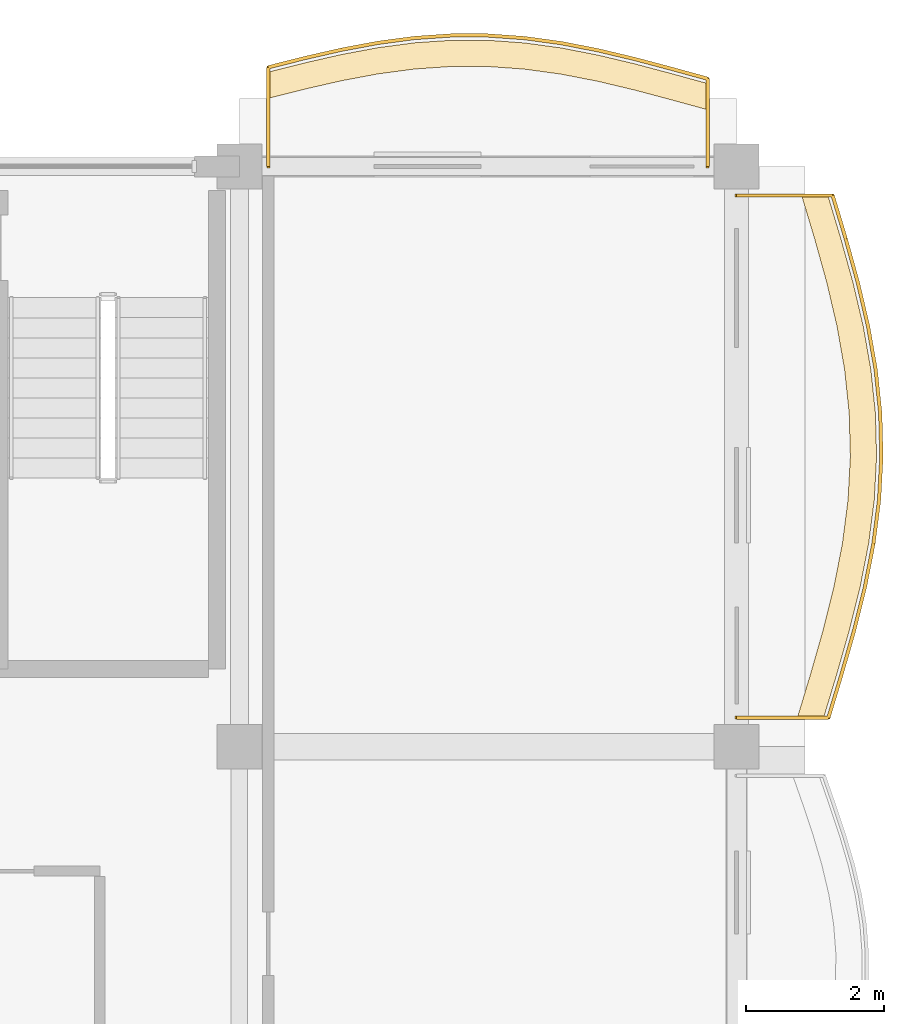
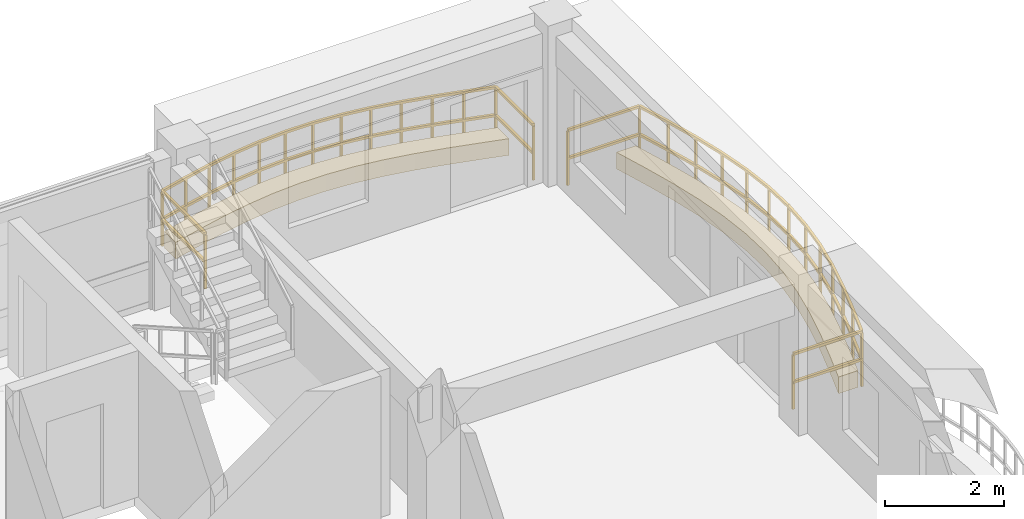
# One storey, part 66 of 66: 2 coverings, 2 railings.
"""IFC4 building model written with IfcOpenShell, lengths in metres."""

from ifc_helpers import new_model, si_unit, direction, frame, origin, origin_2d, place, context, subcontext, project, spatial, polyline, rectangle, outline, extrude, material, layer, layer_set, type_object, element, save


model = new_model("IFC4")

# Units and contexts
model_context = context("Model", 3, precision=1e-05, world=origin(), true_north=direction((0.0, 1.0)))
body_context = subcontext(model_context, "Body", "Model", "MODEL_VIEW")
ifc_project = project(units=[si_unit("LENGTHUNIT", "METRE"), si_unit("AREAUNIT", "SQUARE_METRE"), si_unit("VOLUMEUNIT", "CUBIC_METRE"), si_unit("PLANEANGLEUNIT", "RADIAN"), si_unit("MASSUNIT", "GRAM", prefix="KILO"), si_unit("THERMODYNAMICTEMPERATUREUNIT", "KELVIN")], contexts=[model_context])

# Site, building, storey
site_placement = place(None, origin())
site = spatial("IfcSite", under=ifc_project, at=site_placement, CompositionType="ELEMENT")
building_placement = place(site_placement, origin())
building = spatial("IfcBuilding", under=site, at=building_placement, Name="Thalorik Housing Commons", CompositionType="ELEMENT")
storey_placement = place(building_placement, frame((0.0, 0.0, 21.300048828125)))
storey = spatial("IfcBuildingStorey", under=building, at=storey_placement, Name="L06", CompositionType="ELEMENT", Elevation=21.300048828125)

# Coverings
ifc_material_1 = material(Name="Planted vegetated substrate and terracotta trough", Category="masonry")
ifc_layer = layer(ifc_material_1, 0.340087890625, Name="Planted vegetated substrate and terracotta trough", Category="masonry")
ifc_layer_set = layer_set([ifc_layer], Name="Planted vegetated substrate and terracotta trough")
covering_type = type_object("IfcCoveringType", Name="ARC-COV-PLANTER", PredefinedType="USERDEFINED", material=ifc_layer_set)
covering_1_placement = place(storey_placement, origin())
element("IfcCovering", 1, at=covering_1_placement, inside=storey, type_object=covering_type, Name="L06 Balcony Slab-Edge Planted Trough 5495", ObjectType="PLANTER", PredefinedType="USERDEFINED", context=body_context, shape_type="SweptSolid", body=[
    extrude(outline(polyline([(173.580078125, 124.80078125), (173.050048828125, 124.946533203125), (172.52001953125, 125.087158203125), (171.989990234375, 125.213134765625), (171.4599609375, 125.316162109375), (170.929931640625, 125.388916015625), (170.39990234375, 125.427001953125), (169.8701171875, 125.427490234375), (169.340087890625, 125.39111328125), (168.81005859375, 125.32080078125), (168.280029296875, 125.2216796875), (167.75, 125.1005859375), (167.219970703125, 124.96630859375), (167.219970703125, 124.58642578125), (167.75, 124.720458984375), (168.280029296875, 124.841552734375), (168.81005859375, 124.94091796875), (169.340087890625, 125.01123046875), (169.8701171875, 125.047607421875), (170.39990234375, 125.046875), (170.929931640625, 125.009033203125), (171.4599609375, 124.936279296875), (171.989990234375, 124.833251953125), (172.52001953125, 124.707275390625), (173.050048828125, 124.56640625), (173.580078125, 124.4208984375), (173.580078125, 124.80078125)])), origin(), (0.0, 0.0, 1.0), 0.33984375),
])
covering_2_placement = place(storey_placement, origin())
element("IfcCovering", 2, at=covering_2_placement, inside=storey, type_object=covering_type, Name="L06 Balcony Slab-Edge Planted Trough 5497", ObjectType="PLANTER", PredefinedType="USERDEFINED", context=body_context, shape_type="SweptSolid", body=[
    extrude(outline(polyline([(175.25927734375, 115.6201171875), (175.44970703125, 116.25), (175.629638671875, 116.8798828125), (175.787109375, 117.510009765625), (175.910888671875, 118.139892578125), (175.992431640625, 118.77001953125), (176.02587890625, 119.39990234375), (176.009033203125, 120.030029296875), (175.943115234375, 120.659912109375), (175.83251953125, 121.2900390625), (175.6845703125, 121.919921875), (175.510009765625, 122.550048828125), (175.32080078125, 123.179931640625), (174.940673828125, 123.179931640625), (175.1298828125, 122.550048828125), (175.3046875, 121.919921875), (175.452392578125, 121.2900390625), (175.56298828125, 120.659912109375), (175.629150390625, 120.030029296875), (175.64599609375, 119.39990234375), (175.6123046875, 118.77001953125), (175.531005859375, 118.139892578125), (175.4072265625, 117.510009765625), (175.249755859375, 116.8798828125), (175.069580078125, 116.25), (174.87939453125, 115.6201171875), (175.25927734375, 115.6201171875)])), origin(), (0.0, 0.0, 1.0), 0.33984375),
])

# Railings
ifc_material_2 = material(Name="Steel S355", Category="steel")
railing_type = type_object("IfcRailingType", Name="ARC-RL-BAL-115", PredefinedType="BALUSTRADE", material=ifc_material_2)
railing_1_placement = place(storey_placement, frame((173.580078125, 123.60009765625, 0.0)))
element("IfcRailing", 3, at=railing_1_placement, inside=storey, type_object=railing_type, Name="L06 Cushion Balcony Guardrail 179", PredefinedType="BALUSTRADE", context=body_context, shape_type="SweptSolid", body=[
    extrude(rectangle(XDim=0.050048828125, YDim=0.050048828125, at=origin_2d()), frame((0.0, 0.0, 1.125), z_axis=(0.0, 1.0, 0.0), x_axis=(-1.0, 0.0, 0.0)), (0.0, 0.0, 1.0), 1.270751953125),
    extrude(rectangle(XDim=0.050048828125, YDim=0.050048828125, at=origin_2d()), frame((0.0, 0.0, 0.5498046875), z_axis=(0.0, 1.0, 0.0), x_axis=(-1.0, 0.0, 0.0)), (0.0, 0.0, 1.0), 1.270751953125),
    extrude(rectangle(XDim=0.050048828125, YDim=0.050048828125, at=origin_2d()), frame((0.0, 1.270751953125, 1.125), z_axis=(-0.96420823147, 0.265146160381, 0.0), x_axis=(-0.265146160381, -0.96420823147, 0.0)), (0.0, 0.0, 1.0), 0.5498046875),
    extrude(rectangle(XDim=0.050048828125, YDim=0.050048828125, at=origin_2d()), frame((0.0, 1.270751953125, 0.5498046875), z_axis=(-0.96420823147, 0.265146160381, 0.0), x_axis=(-0.265146160381, -0.96420823147, 0.0)), (0.0, 0.0, 1.0), 0.5498046875),
    extrude(rectangle(XDim=0.050048828125, YDim=0.050048828125, at=origin_2d()), frame((-0.530029296875, 1.41650390625, 1.125), z_axis=(-0.96655930577, 0.256443187528, 0.0), x_axis=(-0.256443187528, -0.96655930577, 0.0)), (0.0, 0.0, 1.0), 0.54833984375),
    extrude(rectangle(XDim=0.050048828125, YDim=0.050048828125, at=origin_2d()), frame((-0.530029296875, 1.41650390625, 0.5498046875), z_axis=(-0.96655930577, 0.256443187528, 0.0), x_axis=(-0.256443187528, -0.96655930577, 0.0)), (0.0, 0.0, 1.0), 0.54833984375),
    extrude(rectangle(XDim=0.050048828125, YDim=0.050048828125, at=origin_2d()), frame((-1.06005859375, 1.55712890625, 1.125), z_axis=(-0.972897496671, 0.231236807131, 0.0), x_axis=(-0.231236807131, -0.972897496671, 0.0)), (0.0, 0.0, 1.0), 0.544677734375),
    extrude(rectangle(XDim=0.050048828125, YDim=0.050048828125, at=origin_2d()), frame((-1.06005859375, 1.55712890625, 0.5498046875), z_axis=(-0.972897496671, 0.231236807131, 0.0), x_axis=(-0.231236807131, -0.972897496671, 0.0)), (0.0, 0.0, 1.0), 0.544677734375),
    extrude(rectangle(XDim=0.050048828125, YDim=0.050048828125, at=origin_2d()), frame((-1.590087890625, 1.68310546875, 1.125), z_axis=(-0.981627153903, 0.190809147373, 0.0), x_axis=(-0.190809147373, -0.981627153903, 0.0)), (0.0, 0.0, 1.0), 0.5400390625),
    extrude(rectangle(XDim=0.050048828125, YDim=0.050048828125, at=origin_2d()), frame((-1.590087890625, 1.68310546875, 0.5498046875), z_axis=(-0.981627153903, 0.190809147373, 0.0), x_axis=(-0.190809147373, -0.981627153903, 0.0)), (0.0, 0.0, 1.0), 0.5400390625),
    extrude(rectangle(XDim=0.050048828125, YDim=0.050048828125, at=origin_2d()), frame((-2.1201171875, 1.7861328125, 1.125), z_axis=(-0.990710374144, 0.135988803084, 0.0), x_axis=(-0.135988803084, -0.990710374144, 0.0)), (0.0, 0.0, 1.0), 0.534912109375),
    extrude(rectangle(XDim=0.050048828125, YDim=0.050048828125, at=origin_2d()), frame((-2.1201171875, 1.7861328125, 0.5498046875), z_axis=(-0.990710374144, 0.135988803084, 0.0), x_axis=(-0.135988803084, -0.990710374144, 0.0)), (0.0, 0.0, 1.0), 0.534912109375),
    extrude(rectangle(XDim=0.050048828125, YDim=0.050048828125, at=origin_2d()), frame((-2.650146484375, 1.85888671875, 1.125), z_axis=(-0.997461031518, 0.071214398842, 0.0), x_axis=(-0.071214398842, -0.997461031518, 0.0)), (0.0, 0.0, 1.0), 0.531494140625),
    extrude(rectangle(XDim=0.050048828125, YDim=0.050048828125, at=origin_2d()), frame((-2.650146484375, 1.85888671875, 0.5498046875), z_axis=(-0.997461031518, 0.071214398842, 0.0), x_axis=(-0.071214398842, -0.997461031518, 0.0)), (0.0, 0.0, 1.0), 0.531494140625),
    extrude(rectangle(XDim=0.050048828125, YDim=0.050048828125, at=origin_2d()), frame((-3.18017578125, 1.896728515625, 1.125), z_axis=(-0.999999044364, 0.001382487158, 0.0), x_axis=(-0.001382487158, -0.999999044364, 0.0)), (0.0, 0.0, 1.0), 0.52978515625),
    extrude(rectangle(XDim=0.050048828125, YDim=0.050048828125, at=origin_2d()), frame((-3.18017578125, 1.896728515625, 0.5498046875), z_axis=(-0.999999044364, 0.001382487158, 0.0), x_axis=(-0.001382487158, -0.999999044364, 0.0)), (0.0, 0.0, 1.0), 0.52978515625),
    extrude(rectangle(XDim=0.050048828125, YDim=0.050048828125, at=origin_2d()), frame((-3.7099609375, 1.8974609375, 1.125), z_axis=(-0.997653114302, -0.068470895454, 0.0), x_axis=(0.068470895454, -0.997653114302, 0.0)), (0.0, 0.0, 1.0), 0.53125),
    extrude(rectangle(XDim=0.050048828125, YDim=0.050048828125, at=origin_2d()), frame((-3.7099609375, 1.8974609375, 0.5498046875), z_axis=(-0.997653114302, -0.068470895454, 0.0), x_axis=(0.068470895454, -0.997653114302, 0.0)), (0.0, 0.0, 1.0), 0.53125),
    extrude(rectangle(XDim=0.050048828125, YDim=0.050048828125, at=origin_2d()), frame((-4.239990234375, 1.861083984375, 1.125), z_axis=(-0.991315416543, -0.131505684, 0.0), x_axis=(0.131505684, -0.991315416543, 0.0)), (0.0, 0.0, 1.0), 0.53466796875),
    extrude(rectangle(XDim=0.050048828125, YDim=0.050048828125, at=origin_2d()), frame((-4.239990234375, 1.861083984375, 0.5498046875), z_axis=(-0.991315416543, -0.131505684, 0.0), x_axis=(0.131505684, -0.991315416543, 0.0)), (0.0, 0.0, 1.0), 0.53466796875),
    extrude(rectangle(XDim=0.050048828125, YDim=0.050048828125, at=origin_2d()), frame((-4.77001953125, 1.790771484375, 1.125), z_axis=(-0.982877311802, -0.184261200324, 0.0), x_axis=(0.184261200324, -0.982877311802, 0.0)), (0.0, 0.0, 1.0), 0.539306640625),
    extrude(rectangle(XDim=0.050048828125, YDim=0.050048828125, at=origin_2d()), frame((-4.77001953125, 1.790771484375, 0.5498046875), z_axis=(-0.982877311802, -0.184261200324, 0.0), x_axis=(0.184261200324, -0.982877311802, 0.0)), (0.0, 0.0, 1.0), 0.539306640625),
    extrude(rectangle(XDim=0.050048828125, YDim=0.050048828125, at=origin_2d()), frame((-5.300048828125, 1.69140625, 1.125), z_axis=(-0.974880797271, -0.22272725723, 0.0), x_axis=(0.22272725723, -0.974880797271, 0.0)), (0.0, 0.0, 1.0), 0.543701171875),
    extrude(rectangle(XDim=0.050048828125, YDim=0.050048828125, at=origin_2d()), frame((-5.300048828125, 1.69140625, 0.5498046875), z_axis=(-0.974880797271, -0.22272725723, 0.0), x_axis=(0.22272725723, -0.974880797271, 0.0)), (0.0, 0.0, 1.0), 0.543701171875),
    extrude(rectangle(XDim=0.050048828125, YDim=0.050048828125, at=origin_2d()), frame((-5.830078125, 1.5703125, 1.125), z_axis=(-0.969482237647, -0.245161560787, 0.0), x_axis=(0.245161560787, -0.969482237647, 0.0)), (0.0, 0.0, 1.0), 0.546630859375),
    extrude(rectangle(XDim=0.050048828125, YDim=0.050048828125, at=origin_2d()), frame((-5.830078125, 1.5703125, 0.5498046875), z_axis=(-0.969482237647, -0.245161560787, 0.0), x_axis=(0.245161560787, -0.969482237647, 0.0)), (0.0, 0.0, 1.0), 0.546630859375),
    extrude(rectangle(XDim=0.050048828125, YDim=0.050048828125, at=origin_2d()), frame((-6.360107421875, 1.436279296875, 1.125), z_axis=(0.0, -1.0, 0.0), x_axis=(1.0, 0.0, 0.0)), (0.0, 0.0, 1.0), 1.436279296875),
    extrude(rectangle(XDim=0.050048828125, YDim=0.050048828125, at=origin_2d()), frame((-6.360107421875, 1.436279296875, 0.5498046875), z_axis=(0.0, -1.0, 0.0), x_axis=(1.0, 0.0, 0.0)), (0.0, 0.0, 1.0), 1.436279296875),
    extrude(rectangle(XDim=0.0419921875, YDim=0.0419921875, at=origin_2d()), origin(), (0.0, 0.0, 1.0), 1.099853515625),
    extrude(rectangle(XDim=0.0419921875, YDim=0.0419921875, at=origin_2d()), frame((0.0, 1.270751953125, 0.0)), (0.0, 0.0, 1.0), 1.099853515625),
    extrude(rectangle(XDim=0.0419921875, YDim=0.0419921875, at=origin_2d()), frame((-0.530029296875, 1.41650390625, 0.0)), (0.0, 0.0, 1.0), 1.099853515625),
    extrude(rectangle(XDim=0.0419921875, YDim=0.0419921875, at=origin_2d()), frame((-1.06005859375, 1.55712890625, 0.0)), (0.0, 0.0, 1.0), 1.099853515625),
    extrude(rectangle(XDim=0.0419921875, YDim=0.0419921875, at=origin_2d()), frame((-1.590087890625, 1.68310546875, 0.0)), (0.0, 0.0, 1.0), 1.099853515625),
    extrude(rectangle(XDim=0.0419921875, YDim=0.0419921875, at=origin_2d()), frame((-2.1201171875, 1.7861328125, 0.0)), (0.0, 0.0, 1.0), 1.099853515625),
    extrude(rectangle(XDim=0.0419921875, YDim=0.0419921875, at=origin_2d()), frame((-2.650146484375, 1.85888671875, 0.0)), (0.0, 0.0, 1.0), 1.099853515625),
    extrude(rectangle(XDim=0.0419921875, YDim=0.0419921875, at=origin_2d()), frame((-3.18017578125, 1.896728515625, 0.0)), (0.0, 0.0, 1.0), 1.099853515625),
    extrude(rectangle(XDim=0.0419921875, YDim=0.0419921875, at=origin_2d()), frame((-3.7099609375, 1.8974609375, 0.0)), (0.0, 0.0, 1.0), 1.099853515625),
    extrude(rectangle(XDim=0.0419921875, YDim=0.0419921875, at=origin_2d()), frame((-4.239990234375, 1.861083984375, 0.0)), (0.0, 0.0, 1.0), 1.099853515625),
    extrude(rectangle(XDim=0.0419921875, YDim=0.0419921875, at=origin_2d()), frame((-4.77001953125, 1.790771484375, 0.0)), (0.0, 0.0, 1.0), 1.099853515625),
    extrude(rectangle(XDim=0.0419921875, YDim=0.0419921875, at=origin_2d()), frame((-5.300048828125, 1.69140625, 0.0)), (0.0, 0.0, 1.0), 1.099853515625),
    extrude(rectangle(XDim=0.0419921875, YDim=0.0419921875, at=origin_2d()), frame((-5.830078125, 1.5703125, 0.0)), (0.0, 0.0, 1.0), 1.099853515625),
    extrude(rectangle(XDim=0.0419921875, YDim=0.0419921875, at=origin_2d()), frame((-6.360107421875, 1.436279296875, 0.0)), (0.0, 0.0, 1.0), 1.099853515625),
    extrude(rectangle(XDim=0.0419921875, YDim=0.0419921875, at=origin_2d()), frame((-6.360107421875, 0.0, 0.0)), (0.0, 0.0, 1.0), 1.099853515625),
])
railing_2_placement = place(storey_placement, frame((174.0, 115.6201171875, 0.0)))
element("IfcRailing", 4, at=railing_2_placement, inside=storey, type_object=railing_type, Name="L06 Cushion Balcony Guardrail 181", PredefinedType="BALUSTRADE", context=body_context, shape_type="SweptSolid", body=[
    extrude(rectangle(XDim=0.050048828125, YDim=0.050048828125, at=origin_2d()), frame((0.0, 0.0, 1.125), z_axis=(1.0, 0.0, 0.0), x_axis=(0.0, 1.0, 0.0)), (0.0, 0.0, 1.0), 1.329345703125),
    extrude(rectangle(XDim=0.050048828125, YDim=0.050048828125, at=origin_2d()), frame((0.0, 0.0, 0.5498046875), z_axis=(1.0, 0.0, 0.0), x_axis=(0.0, 1.0, 0.0)), (0.0, 0.0, 1.0), 1.329345703125),
    extrude(rectangle(XDim=0.050048828125, YDim=0.050048828125, at=origin_2d()), frame((1.329345703125, 0.0, 1.125), z_axis=(0.289049505252, 0.9573141509, 0.0), x_axis=(-0.9573141509, 0.289049505252, 0.0)), (0.0, 0.0, 1.0), 0.657958984375),
    extrude(rectangle(XDim=0.050048828125, YDim=0.050048828125, at=origin_2d()), frame((1.329345703125, 0.0, 0.5498046875), z_axis=(0.289049505252, 0.9573141509, 0.0), x_axis=(-0.9573141509, 0.289049505252, 0.0)), (0.0, 0.0, 1.0), 0.657958984375),
    extrude(rectangle(XDim=0.050048828125, YDim=0.050048828125, at=origin_2d()), frame((1.51953125, 0.6298828125, 1.125), z_axis=(0.275016423265, 0.961439528486, 0.0), x_axis=(-0.961439528486, 0.275016423265, 0.0)), (0.0, 0.0, 1.0), 0.655029296875),
    extrude(rectangle(XDim=0.050048828125, YDim=0.050048828125, at=origin_2d()), frame((1.51953125, 0.6298828125, 0.5498046875), z_axis=(0.275016423265, 0.961439528486, 0.0), x_axis=(-0.961439528486, 0.275016423265, 0.0)), (0.0, 0.0, 1.0), 0.655029296875),
    extrude(rectangle(XDim=0.050048828125, YDim=0.050048828125, at=origin_2d()), frame((1.69970703125, 1.259765625, 1.125), z_axis=(0.242447180005, 0.97016460712, 0.0), x_axis=(-0.97016460712, 0.242447180005, 0.0)), (0.0, 0.0, 1.0), 0.6494140625),
    extrude(rectangle(XDim=0.050048828125, YDim=0.050048828125, at=origin_2d()), frame((1.69970703125, 1.259765625, 0.5498046875), z_axis=(0.242447180005, 0.97016460712, 0.0), x_axis=(-0.97016460712, 0.242447180005, 0.0)), (0.0, 0.0, 1.0), 0.6494140625),
    extrude(rectangle(XDim=0.050048828125, YDim=0.050048828125, at=origin_2d()), frame((1.857177734375, 1.889892578125, 1.125), z_axis=(0.192823773501, 0.981233403616, 0.0), x_axis=(-0.981233403616, 0.192823773501, 0.0)), (0.0, 0.0, 1.0), 0.641845703125),
    extrude(rectangle(XDim=0.050048828125, YDim=0.050048828125, at=origin_2d()), frame((1.857177734375, 1.889892578125, 0.5498046875), z_axis=(0.192823773501, 0.981233403616, 0.0), x_axis=(-0.981233403616, 0.192823773501, 0.0)), (0.0, 0.0, 1.0), 0.641845703125),
    extrude(rectangle(XDim=0.050048828125, YDim=0.050048828125, at=origin_2d()), frame((1.98095703125, 2.519775390625, 1.125), z_axis=(0.128337087148, 0.991730604581, 0.0), x_axis=(-0.991730604581, 0.128337087148, 0.0)), (0.0, 0.0, 1.0), 0.635498046875),
    extrude(rectangle(XDim=0.050048828125, YDim=0.050048828125, at=origin_2d()), frame((1.98095703125, 2.519775390625, 0.5498046875), z_axis=(0.128337087148, 0.991730604581, 0.0), x_axis=(-0.991730604581, 0.128337087148, 0.0)), (0.0, 0.0, 1.0), 0.635498046875),
    extrude(rectangle(XDim=0.050048828125, YDim=0.050048828125, at=origin_2d()), frame((2.0625, 3.14990234375, 1.125), z_axis=(0.053026069218, 0.998593128348, 0.0), x_axis=(-0.998593128348, 0.053026069218, 0.0)), (0.0, 0.0, 1.0), 0.630859375),
    extrude(rectangle(XDim=0.050048828125, YDim=0.050048828125, at=origin_2d()), frame((2.0625, 3.14990234375, 0.5498046875), z_axis=(0.053026069218, 0.998593128348, 0.0), x_axis=(-0.998593128348, 0.053026069218, 0.0)), (0.0, 0.0, 1.0), 0.630859375),
    extrude(rectangle(XDim=0.050048828125, YDim=0.050048828125, at=origin_2d()), frame((2.095947265625, 3.77978515625, 1.125), z_axis=(-0.02672427592, 0.999642842758, 0.0), x_axis=(-0.999642842758, -0.02672427592, 0.0)), (0.0, 0.0, 1.0), 0.63037109375),
    extrude(rectangle(XDim=0.050048828125, YDim=0.050048828125, at=origin_2d()), frame((2.095947265625, 3.77978515625, 0.5498046875), z_axis=(-0.02672427592, 0.999642842758, 0.0), x_axis=(-0.999642842758, -0.02672427592, 0.0)), (0.0, 0.0, 1.0), 0.63037109375),
    extrude(rectangle(XDim=0.050048828125, YDim=0.050048828125, at=origin_2d()), frame((2.0791015625, 4.409912109375, 1.125), z_axis=(-0.10408276457, 0.99456863922, 0.0), x_axis=(-0.99456863922, -0.10408276457, 0.0)), (0.0, 0.0, 1.0), 0.63330078125),
    extrude(rectangle(XDim=0.050048828125, YDim=0.050048828125, at=origin_2d()), frame((2.0791015625, 4.409912109375, 0.5498046875), z_axis=(-0.10408276457, 0.99456863922, 0.0), x_axis=(-0.99456863922, -0.10408276457, 0.0)), (0.0, 0.0, 1.0), 0.63330078125),
    extrude(rectangle(XDim=0.050048828125, YDim=0.050048828125, at=origin_2d()), frame((2.01318359375, 5.039794921875, 1.125), z_axis=(-0.173241095847, 0.984879445775, 0.0), x_axis=(-0.984879445775, -0.173241095847, 0.0)), (0.0, 0.0, 1.0), 0.639892578125),
    extrude(rectangle(XDim=0.050048828125, YDim=0.050048828125, at=origin_2d()), frame((2.01318359375, 5.039794921875, 0.5498046875), z_axis=(-0.173241095847, 0.984879445775, 0.0), x_axis=(-0.984879445775, -0.173241095847, 0.0)), (0.0, 0.0, 1.0), 0.639892578125),
    extrude(rectangle(XDim=0.050048828125, YDim=0.050048828125, at=origin_2d()), frame((1.90234375, 5.669921875, 1.125), z_axis=(-0.228303105929, 0.973590104625, 0.0), x_axis=(-0.973590104625, -0.228303105929, 0.0)), (0.0, 0.0, 1.0), 0.64697265625),
    extrude(rectangle(XDim=0.050048828125, YDim=0.050048828125, at=origin_2d()), frame((1.90234375, 5.669921875, 0.5498046875), z_axis=(-0.228303105929, 0.973590104625, 0.0), x_axis=(-0.973590104625, -0.228303105929, 0.0)), (0.0, 0.0, 1.0), 0.64697265625),
    extrude(rectangle(XDim=0.050048828125, YDim=0.050048828125, at=origin_2d()), frame((1.754638671875, 6.2998046875, 1.125), z_axis=(-0.26696978078, 0.963704900968, 0.0), x_axis=(-0.963704900968, -0.26696978078, 0.0)), (0.0, 0.0, 1.0), 0.65380859375),
    extrude(rectangle(XDim=0.050048828125, YDim=0.050048828125, at=origin_2d()), frame((1.754638671875, 6.2998046875, 0.5498046875), z_axis=(-0.26696978078, 0.963704900968, 0.0), x_axis=(-0.963704900968, -0.26696978078, 0.0)), (0.0, 0.0, 1.0), 0.65380859375),
    extrude(rectangle(XDim=0.050048828125, YDim=0.050048828125, at=origin_2d()), frame((1.580078125, 6.929931640625, 1.125), z_axis=(-0.288028861026, 0.957621728668, 0.0), x_axis=(-0.957621728668, -0.288028861026, 0.0)), (0.0, 0.0, 1.0), 0.65771484375),
    extrude(rectangle(XDim=0.050048828125, YDim=0.050048828125, at=origin_2d()), frame((1.580078125, 6.929931640625, 0.5498046875), z_axis=(-0.288028861026, 0.957621728668, 0.0), x_axis=(-0.957621728668, -0.288028861026, 0.0)), (0.0, 0.0, 1.0), 0.65771484375),
    extrude(rectangle(XDim=0.050048828125, YDim=0.050048828125, at=origin_2d()), frame((1.390625, 7.559814453125, 1.125), z_axis=(-1.0, 0.0, 0.0), x_axis=(0.0, -1.0, 0.0)), (0.0, 0.0, 1.0), 1.390625),
    extrude(rectangle(XDim=0.050048828125, YDim=0.050048828125, at=origin_2d()), frame((1.390625, 7.559814453125, 0.5498046875), z_axis=(-1.0, 0.0, 0.0), x_axis=(0.0, -1.0, 0.0)), (0.0, 0.0, 1.0), 1.390625),
    extrude(rectangle(XDim=0.0419921875, YDim=0.0419921875, at=origin_2d()), origin(), (0.0, 0.0, 1.0), 1.099853515625),
    extrude(rectangle(XDim=0.0419921875, YDim=0.0419921875, at=origin_2d()), frame((1.329345703125, 0.0, 0.0)), (0.0, 0.0, 1.0), 1.099853515625),
    extrude(rectangle(XDim=0.0419921875, YDim=0.0419921875, at=origin_2d()), frame((1.51953125, 0.6298828125, 0.0)), (0.0, 0.0, 1.0), 1.099853515625),
    extrude(rectangle(XDim=0.0419921875, YDim=0.0419921875, at=origin_2d()), frame((1.69970703125, 1.259765625, 0.0)), (0.0, 0.0, 1.0), 1.099853515625),
    extrude(rectangle(XDim=0.0419921875, YDim=0.0419921875, at=origin_2d()), frame((1.857177734375, 1.889892578125, 0.0)), (0.0, 0.0, 1.0), 1.099853515625),
    extrude(rectangle(XDim=0.0419921875, YDim=0.0419921875, at=origin_2d()), frame((1.98095703125, 2.519775390625, 0.0)), (0.0, 0.0, 1.0), 1.099853515625),
    extrude(rectangle(XDim=0.0419921875, YDim=0.0419921875, at=origin_2d()), frame((2.0625, 3.14990234375, 0.0)), (0.0, 0.0, 1.0), 1.099853515625),
    extrude(rectangle(XDim=0.0419921875, YDim=0.0419921875, at=origin_2d()), frame((2.095947265625, 3.77978515625, 0.0)), (0.0, 0.0, 1.0), 1.099853515625),
    extrude(rectangle(XDim=0.0419921875, YDim=0.0419921875, at=origin_2d()), frame((2.0791015625, 4.409912109375, 0.0)), (0.0, 0.0, 1.0), 1.099853515625),
    extrude(rectangle(XDim=0.0419921875, YDim=0.0419921875, at=origin_2d()), frame((2.01318359375, 5.039794921875, 0.0)), (0.0, 0.0, 1.0), 1.099853515625),
    extrude(rectangle(XDim=0.0419921875, YDim=0.0419921875, at=origin_2d()), frame((1.90234375, 5.669921875, 0.0)), (0.0, 0.0, 1.0), 1.099853515625),
    extrude(rectangle(XDim=0.0419921875, YDim=0.0419921875, at=origin_2d()), frame((1.754638671875, 6.2998046875, 0.0)), (0.0, 0.0, 1.0), 1.099853515625),
    extrude(rectangle(XDim=0.0419921875, YDim=0.0419921875, at=origin_2d()), frame((1.580078125, 6.929931640625, 0.0)), (0.0, 0.0, 1.0), 1.099853515625),
    extrude(rectangle(XDim=0.0419921875, YDim=0.0419921875, at=origin_2d()), frame((1.390625, 7.559814453125, 0.0)), (0.0, 0.0, 1.0), 1.099853515625),
    extrude(rectangle(XDim=0.0419921875, YDim=0.0419921875, at=origin_2d()), frame((0.0, 7.559814453125, 0.0)), (0.0, 0.0, 1.0), 1.099853515625),
])

save(model, "model.ifc")
